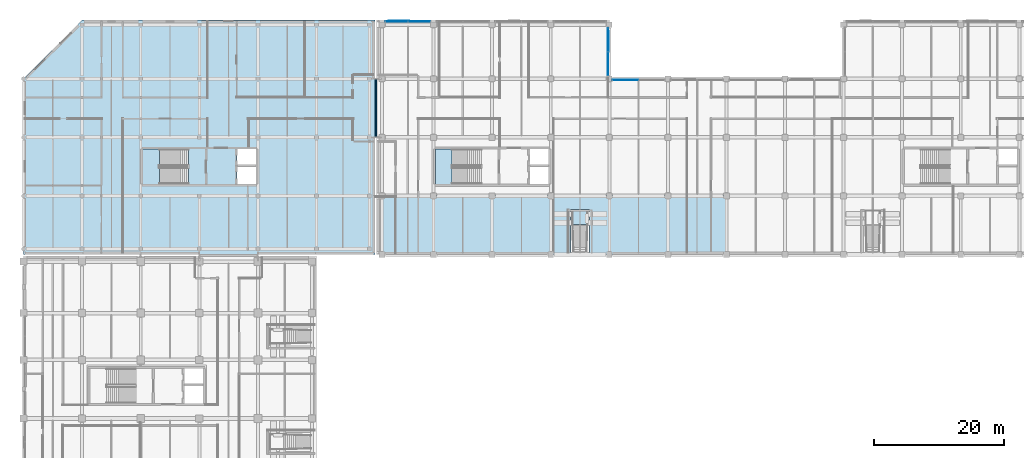
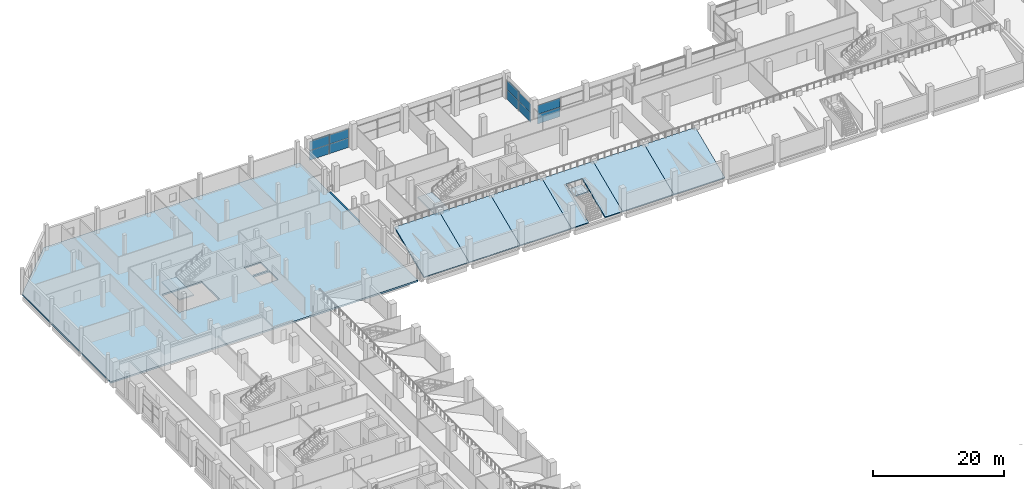
# One storey, part 48 of 100: 14 plates, 11 slabs, 5 elements without a shape of their own.
"""IFC4 building model written with IfcOpenShell, lengths in metres."""

from ifc_helpers import new_model, si_unit, direction, frame, origin, origin_2d, place, context, subcontext, project, spatial, polyline, rectangle, outline, extrude, material, layer, layer_set, type_object, element, aggregate, save


model = new_model("IFC4")

# Units and contexts
model_context = context("Model", 3, precision=1e-05, world=origin(), true_north=direction((0.0, 1.0)))
body_context = subcontext(model_context, "Body", "Model", "MODEL_VIEW")
ifc_project = project(units=[si_unit("LENGTHUNIT", "METRE"), si_unit("AREAUNIT", "SQUARE_METRE"), si_unit("VOLUMEUNIT", "CUBIC_METRE"), si_unit("PLANEANGLEUNIT", "RADIAN"), si_unit("MASSUNIT", "GRAM", prefix="KILO"), si_unit("THERMODYNAMICTEMPERATUREUNIT", "KELVIN"), si_unit("POWERUNIT", "WATT")], contexts=[model_context])

# Site, building, storey
site_placement = place(None, origin())
site = spatial("IfcSite", under=ifc_project, at=site_placement, CompositionType="ELEMENT")
building_placement = place(site_placement, origin())
building = spatial("IfcBuilding", under=site, at=building_placement, Name="Sindhuravela Promenade Stadium", CompositionType="ELEMENT")
storey_placement = place(building_placement, frame((0.0, 0.0, 4.800048828125)))
storey = spatial("IfcBuildingStorey", under=building, at=storey_placement, Name="L01", CompositionType="ELEMENT", Elevation=4.800048828125)

# Plates
ifc_material_1 = material(Name="Perforated terracotta celosia brick (15 MPa)", Category="masonry")
ifc_layer_1 = layer(ifc_material_1, 0.114990234375)
ifc_layer_set_1 = layer_set([ifc_layer_1], Name="Perforated terracotta celosia brick (15 MPa)")
plate_type_1 = type_object("IfcPlateType", Name="CL-SCR-02", PredefinedType="USERDEFINED", material=ifc_layer_set_1)
for number, where, z_axis, x_axis, name in (
    (1, (56.905029296875, 161.8798828125, 0.0), (0.0, 0.0, 1.0), (1.0, 0.0, 0.0), "Perforated brick celosia screen NORTH L01-137"),
    (2, (89.8798828125, 159.4951171875, 0.0), (0.0, 0.0, 1.0), (0.0, -1.0, 0.0), "Perforated brick celosia screen NORTH L01-141"),
):
    element("IfcPlate", number, at=place(storey_placement, frame(where, z_axis=z_axis, x_axis=x_axis)), inside=storey, type_object=plate_type_1, Name=name, ObjectType="SCREEN PANEL", PredefinedType="USERDEFINED", context=body_context, shape_type="SweptSolid", body=[
        extrude(rectangle(XDim=1.56005859375, YDim=0.114990234375, at=origin_2d()), origin(), (0.0, 0.0, 1.0), 3.580078125),
    ])
ifc_layer_2 = layer(ifc_material_1, 0.139892578125)
ifc_layer_set_2 = layer_set([ifc_layer_2], Name="Perforated terracotta celosia brick (15 MPa)")
plate_type_2 = type_object("IfcPlateType", Name="CL-SCR-03", PredefinedType="USERDEFINED", material=ifc_layer_set_2)
for number, where, z_axis, x_axis, name in (
    (3, (58.5048828125, 161.8798828125, 0.0), (0.0, 0.0, 1.0), (1.0, 0.0, 0.0), "Perforated brick celosia screen NORTH L01-138"),
    (4, (89.8798828125, 157.89501953125, 0.0), (0.0, 0.0, 1.0), (0.0, -1.0, 0.0), "Perforated brick celosia screen NORTH L01-142"),
):
    element("IfcPlate", number, at=place(storey_placement, frame(where, z_axis=z_axis, x_axis=x_axis)), inside=storey, type_object=plate_type_2, Name=name, ObjectType="SCREEN PANEL", PredefinedType="USERDEFINED", context=body_context, shape_type="SweptSolid", body=[
        extrude(rectangle(XDim=1.56005859375, YDim=0.139892578125, at=origin_2d()), origin(), (0.0, 0.0, 1.0), 3.580078125),
    ])

# Curtain wall, plates
ifc_material_2 = material(Name="Anodised architectural aluminium 6063-T6", Category="aluminium")
curtain_wall_type_1 = type_object("IfcCurtainWallType", Name="CW-MOD-3", PredefinedType="NOTDEFINED", material=ifc_material_2)
curtain_wall_1_placement = place(storey_placement, origin())
curtain_wall_1 = element("IfcCurtainWall", 5, at=curtain_wall_1_placement, inside=storey, type_object=curtain_wall_type_1, Name="Bronze curtain wall CW-NORTH-L01-138", PredefinedType="NOTDEFINED")
ifc_material_3 = material(Name="Tempered laminated low-E glass", Category="glass")
ifc_layer_3 = layer(ifc_material_3, 0.028076171875)
ifc_layer_set_3 = layer_set([ifc_layer_3], Name="Tempered laminated low-E glass")
plate_type_3 = type_object("IfcPlateType", Name="CW-PNL-01", PredefinedType="CURTAIN_PANEL", material=ifc_layer_set_3)
plate_1_placement = place(storey_placement, frame((57.324951171875, 161.800048828125, 0.01513671875), z_axis=(0.0, 0.0, 1.0), x_axis=(1.0, 0.0, 0.0)))
plate_1 = element("IfcPlate", 6, at=plate_1_placement, type_object=plate_type_3, Name="Glazed curtain panel CW-NORTH-L01-138-P1.1", PredefinedType="CURTAIN_PANEL", context=body_context, shape_type="SweptSolid", body=[
    extrude(rectangle(XDim=3.389892578125, YDim=0.028076171875, at=origin_2d()), origin(), (0.0, 0.0, 1.0), 1.760009765625),
])
plate_2_placement = place(storey_placement, frame((57.324951171875, 161.800048828125, 1.80517578125), z_axis=(0.0, 0.0, 1.0), x_axis=(1.0, 0.0, 0.0)))
plate_2 = element("IfcPlate", 7, at=plate_2_placement, type_object=plate_type_3, Name="Glazed curtain panel CW-NORTH-L01-138-P1.2", PredefinedType="CURTAIN_PANEL", context=body_context, shape_type="SweptSolid", body=[
    extrude(rectangle(XDim=3.389892578125, YDim=0.028076171875, at=origin_2d()), origin(), (0.0, 0.0, 1.0), 1.679931640625),
])
plate_3_placement = place(storey_placement, frame((60.77490234375, 161.800048828125, 0.01513671875), z_axis=(0.0, 0.0, 1.0), x_axis=(1.0, 0.0, 0.0)))
plate_3 = element("IfcPlate", 8, at=plate_3_placement, type_object=plate_type_3, Name="Glazed curtain panel CW-NORTH-L01-138-P2.1", PredefinedType="CURTAIN_PANEL", context=body_context, shape_type="SweptSolid", body=[
    extrude(rectangle(XDim=3.389892578125, YDim=0.028076171875, at=origin_2d()), origin(), (0.0, 0.0, 1.0), 1.760009765625),
])
plate_4_placement = place(storey_placement, frame((60.77490234375, 161.800048828125, 1.80517578125), z_axis=(0.0, 0.0, 1.0), x_axis=(1.0, 0.0, 0.0)))
plate_4 = element("IfcPlate", 9, at=plate_4_placement, type_object=plate_type_3, Name="Glazed curtain panel CW-NORTH-L01-138-P2.2", PredefinedType="CURTAIN_PANEL", context=body_context, shape_type="SweptSolid", body=[
    extrude(rectangle(XDim=3.389892578125, YDim=0.028076171875, at=origin_2d()), origin(), (0.0, 0.0, 1.0), 1.679931640625),
])
aggregate(curtain_wall_1, [plate_1, plate_2, plate_3, plate_4])

curtain_wall_type_2 = type_object("IfcCurtainWallType", Name="CW-MOD-7", PredefinedType="NOTDEFINED", material=ifc_material_2)
curtain_wall_2_placement = place(storey_placement, origin())
curtain_wall_2 = element("IfcCurtainWall", 10, at=curtain_wall_2_placement, inside=storey, type_object=curtain_wall_type_2, Name="Bronze curtain wall CW-NORTH-L01-142", PredefinedType="NOTDEFINED")
plate_5_placement = place(storey_placement, frame((89.800048828125, 158.97509765625, 0.01513671875), z_axis=(0.0, 0.0, 1.0), x_axis=(0.0, -1.0, 0.0)))
plate_5 = element("IfcPlate", 11, at=plate_5_placement, type_object=plate_type_3, Name="Glazed curtain panel CW-NORTH-L01-142-P1.1", PredefinedType="CURTAIN_PANEL", context=body_context, shape_type="SweptSolid", body=[
    extrude(rectangle(XDim=3.590087890625, YDim=0.028076171875, at=origin_2d()), origin(), (0.0, 0.0, 1.0), 1.760009765625),
])
plate_6_placement = place(storey_placement, frame((89.800048828125, 158.97509765625, 1.80517578125), z_axis=(0.0, 0.0, 1.0), x_axis=(0.0, -1.0, 0.0)))
plate_6 = element("IfcPlate", 12, at=plate_6_placement, type_object=plate_type_3, Name="Glazed curtain panel CW-NORTH-L01-142-P1.2", PredefinedType="CURTAIN_PANEL", context=body_context, shape_type="SweptSolid", body=[
    extrude(rectangle(XDim=3.590087890625, YDim=0.028076171875, at=origin_2d()), origin(), (0.0, 0.0, 1.0), 1.679931640625),
])
plate_7_placement = place(storey_placement, frame((89.800048828125, 155.324951171875, 0.01513671875), z_axis=(0.0, 0.0, 1.0), x_axis=(0.0, -1.0, 0.0)))
plate_7 = element("IfcPlate", 13, at=plate_7_placement, type_object=plate_type_3, Name="Glazed curtain panel CW-NORTH-L01-142-P2.1", PredefinedType="CURTAIN_PANEL", context=body_context, shape_type="SweptSolid", body=[
    extrude(rectangle(XDim=3.590087890625, YDim=0.028076171875, at=origin_2d()), origin(), (0.0, 0.0, 1.0), 1.760009765625),
])
plate_8_placement = place(storey_placement, frame((89.800048828125, 155.324951171875, 1.80517578125), z_axis=(0.0, 0.0, 1.0), x_axis=(0.0, -1.0, 0.0)))
plate_8 = element("IfcPlate", 14, at=plate_8_placement, type_object=plate_type_3, Name="Glazed curtain panel CW-NORTH-L01-142-P2.2", PredefinedType="CURTAIN_PANEL", context=body_context, shape_type="SweptSolid", body=[
    extrude(rectangle(XDim=3.590087890625, YDim=0.028076171875, at=origin_2d()), origin(), (0.0, 0.0, 1.0), 1.679931640625),
])
aggregate(curtain_wall_2, [plate_5, plate_6, plate_7, plate_8])

curtain_wall_type_3 = type_object("IfcCurtainWallType", Name="CW-MOD-8", PredefinedType="NOTDEFINED", material=ifc_material_2)
curtain_wall_3_placement = place(storey_placement, origin())
curtain_wall_3 = element("IfcCurtainWall", 15, at=curtain_wall_3_placement, inside=storey, type_object=curtain_wall_type_3, Name="Bronze curtain wall CW-NORTH-L01-143", PredefinedType="NOTDEFINED")
ifc_layer_4 = layer(ifc_material_3, 0.0400390625)
ifc_layer_set_4 = layer_set([ifc_layer_4], Name="Tempered laminated low-E glass")
plate_type_4 = type_object("IfcPlateType", Name="CW-PNL-02", PredefinedType="CURTAIN_PANEL", material=ifc_layer_set_4)
plate_9_placement = place(storey_placement, frame((92.5, 152.800048828125, 0.01513671875), z_axis=(0.0, 0.0, 1.0), x_axis=(1.0, 0.0, 0.0)))
plate_9 = element("IfcPlate", 16, at=plate_9_placement, type_object=plate_type_4, Name="Glazed curtain panel CW-NORTH-L01-143-P1.1", PredefinedType="CURTAIN_PANEL", context=body_context, shape_type="SweptSolid", body=[
    extrude(rectangle(XDim=3.93994140625, YDim=0.0400390625, at=origin_2d()), origin(), (0.0, 0.0, 1.0), 1.760009765625),
])
plate_10_placement = place(storey_placement, frame((92.5, 152.800048828125, 1.80517578125), z_axis=(0.0, 0.0, 1.0), x_axis=(1.0, 0.0, 0.0)))
plate_10 = element("IfcPlate", 17, at=plate_10_placement, type_object=plate_type_4, Name="Glazed curtain panel CW-NORTH-L01-143-P1.2", PredefinedType="CURTAIN_PANEL", context=body_context, shape_type="SweptSolid", body=[
    extrude(rectangle(XDim=3.93994140625, YDim=0.0400390625, at=origin_2d()), origin(), (0.0, 0.0, 1.0), 1.679931640625),
])
aggregate(curtain_wall_3, [plate_9, plate_10])

# Slabs
ifc_material_4 = material(Name="Concrete M50", Category="concrete")
ifc_layer_5 = layer(ifc_material_4, 0.360107421875)
ifc_layer_set_5 = layer_set([ifc_layer_5], Name="Concrete M50")
slab_type_1 = type_object("IfcSlabType", Name="SL-BRG-360", PredefinedType="FLOOR", material=ifc_layer_set_5)
slab_1_placement = place(storey_placement, frame((0.0, 0.0, -0.360107421875)))
element("IfcSlab", 18, at=slab_1_placement, inside=storey, type_object=slab_type_1, Name="Concourse link bridge L01 North-NW", PredefinedType="FLOOR", context=body_context, shape_type="SweptSolid", body=[
    extrude(outline(polyline([(54.0, 144.0), (54.25, 144.0), (54.25, 153.0), (54.0, 153.0), (54.0, 144.0)])), origin(), (0.0, 0.0, 1.0), 0.360107421875),
])
ifc_material_5 = material(Name="Concrete M40", Category="concrete")
ifc_layer_6 = layer(ifc_material_5, 0.25)
ifc_layer_set_6 = layer_set([ifc_layer_6], Name="Concrete M40")
slab_type_2 = type_object("IfcSlabType", Name="SL-FLR-250", PredefinedType="FLOOR", material=ifc_layer_set_6)
slab_2_placement = place(storey_placement, frame((0.0, 0.0, 2.0)))
element("IfcSlab", 19, at=slab_2_placement, inside=storey, type_object=slab_type_2, Name="Vomitory VS09 tier landing slab", PredefinedType="FLOOR", context=body_context, shape_type="SweptSolid", body=[
    extrude(outline(polyline([(86.7099609375, 130.639404296875), (86.7099609375, 132.7900390625), (84.2900390625, 132.7900390625), (84.2900390625, 130.639404296875), (86.7099609375, 130.639404296875)])), origin(), (0.0, 0.0, 1.0), 0.25),
])
ifc_layer_7 = layer(ifc_material_5, 0.300048828125)
ifc_layer_set_7 = layer_set([ifc_layer_7], Name="Concrete M40")
slab_type_3 = type_object("IfcSlabType", Name="SL-FLR-300", PredefinedType="FLOOR", material=ifc_layer_set_7)
slab_3_placement = place(storey_placement, frame((0.0, 0.0, -0.300048828125)))
element("IfcSlab", 20, at=slab_3_placement, inside=storey, type_object=slab_type_3, Name="Floor slab Pavilion NW L01", PredefinedType="FLOOR", context=body_context, shape_type="SweptSolid", body=[
    extrude(outline(polyline([(0.0, 126.0), (54.0, 126.0), (54.0, 162.0), (9.0, 162.0), (0.0, 153.0), (0.0, 126.0)]), holes=[polyline([(18.300048828125, 136.800048828125), (25.34912109375, 136.800048828125), (25.34912109375, 142.199951171875), (18.300048828125, 142.199951171875), (18.300048828125, 136.800048828125)]), polyline([(32.800048828125, 139.800048828125), (35.699951171875, 139.800048828125), (35.699951171875, 142.199951171875), (32.800048828125, 142.199951171875), (32.800048828125, 139.800048828125)]), polyline([(32.800048828125, 136.800048828125), (35.699951171875, 136.800048828125), (35.699951171875, 139.5), (32.800048828125, 139.5), (32.800048828125, 136.800048828125)])]), origin(), (0.0, 0.0, 1.0), 0.300048828125),
])

# Stair, slab
stair_type = type_object("IfcStairType", Name="ST-CORE-DOGLEG", PredefinedType="HALF_TURN_STAIR", material=ifc_material_5)
stair_1_placement = place(storey_placement, origin())
stair_1 = element("IfcStair", 21, at=stair_1_placement, inside=storey, type_object=stair_type, Name="Protected escape stair ST09 (L01)", PredefinedType="HALF_TURN_STAIR")
ifc_layer_8 = layer(ifc_material_5, 0.219970703125)
ifc_layer_set_8 = layer_set([ifc_layer_8], Name="Concrete M40")
slab_type_4 = type_object("IfcSlabType", Name="SL-LND-220", PredefinedType="LANDING", material=ifc_layer_set_8)
slab_4_placement = place(storey_placement, frame((0.0, 0.0, 2.179931640625)))
slab_4 = element("IfcSlab", 22, at=slab_4_placement, type_object=slab_type_4, Name="Stair ST09 half-landing (L01)", PredefinedType="LANDING", context=body_context, shape_type="SweptSolid", body=[
    extrude(outline(polyline([(63.280029296875, 136.780029296875), (65.85205078125, 136.780029296875), (65.85205078125, 142.219970703125), (63.280029296875, 142.219970703125), (63.280029296875, 136.780029296875)])), origin(), (0.0, 0.0, 1.0), 0.219970703125),
])
aggregate(stair_1, [slab_4])

stair_2_placement = place(storey_placement, origin())
stair_2 = element("IfcStair", 23, at=stair_2_placement, inside=storey, type_object=stair_type, Name="Protected escape stair GS03 (L01)", PredefinedType="HALF_TURN_STAIR")
slab_5_placement = place(storey_placement, frame((0.0, 0.0, 2.179931640625)))
slab_5 = element("IfcSlab", 24, at=slab_5_placement, type_object=slab_type_4, Name="Stair GS03 half-landing (L01)", PredefinedType="LANDING", context=body_context, shape_type="SweptSolid", body=[
    extrude(outline(polyline([(18.280029296875, 136.780029296875), (20.85205078125, 136.780029296875), (20.85205078125, 142.219970703125), (18.280029296875, 142.219970703125), (18.280029296875, 136.780029296875)])), origin(), (0.0, 0.0, 1.0), 0.219970703125),
])
aggregate(stair_2, [slab_5])

# Slabs
ifc_material_6 = material(Name="Precast concrete M50", Category="concrete")
ifc_layer_9 = layer(ifc_material_6, 0.2900390625)
ifc_layer_set_9 = layer_set([ifc_layer_9], Name="Precast concrete M50")
slab_type_5 = type_object("IfcSlabType", Name="SL-TR1-290", PredefinedType="USERDEFINED", material=ifc_layer_set_9)
slab_6_placement = place(storey_placement, frame((55.10009765625, 126.0, 0.199951171875), z_axis=(0.0, -0.39331118097782747, 0.9194054137962353), x_axis=(1.0, 0.0, 0.0)))
element("IfcSlab", 25, at=slab_6_placement, inside=storey, type_object=slab_type_5, Name="Stand lower tier North rear bay 23", ObjectType="SEATING TIER", PredefinedType="USERDEFINED", context=body_context, shape_type="SweptSolid", body=[
    extrude(outline(polyline([(0.0, 0.0), (7.89990234375, 0.0), (7.89990234375, 9.78893518022577), (0.0, 9.78893518022577), (0.0, 0.0)])), origin(), (0.0, 0.0, -1.0), 0.2900390625),
])
for number, where, z_axis, x_axis, name in (
    (26, (63.0, 126.0, 0.199951171875), (0.0, -0.3933111809778274, 0.9194054137962352), (1.0, 0.0, 0.0), "Stand lower tier North rear bay 24"),
    (27, (72.0, 126.0, 0.199951171875), (0.0, -0.3933111809778274, 0.9194054137962352), (1.0, 0.0, 0.0), "Stand lower tier North rear bay 25"),
):
    element("IfcSlab", number, at=place(storey_placement, frame(where, z_axis=z_axis, x_axis=x_axis)), inside=storey, type_object=slab_type_5, Name=name, ObjectType="SEATING TIER", PredefinedType="USERDEFINED", context=body_context, shape_type="SweptSolid", body=[
        extrude(outline(polyline([(0.0, 0.0), (9.0, 0.0), (9.0, 9.788935180225769), (0.0, 9.788935180225769), (0.0, 0.0)])), origin(), (0.0, 0.0, -1.0), 0.2900390625),
    ])
slab_7_placement = place(storey_placement, frame((81.0, 126.0, 0.199951171875), z_axis=(0.0, -0.3933099048854284, 0.919405959693005), x_axis=(1.0, 0.0, 0.0)))
element("IfcSlab", 28, at=slab_7_placement, inside=storey, type_object=slab_type_5, Name="Stand lower tier North rear bay 26", ObjectType="SEATING TIER", PredefinedType="USERDEFINED", context=body_context, shape_type="SweptSolid", body=[
    extrude(outline(polyline([(0.0, 0.0), (3.050048828125, 0.0), (3.050048828125, 7.559193719793829), (5.949951171875, 7.559193719793829), (5.949951171875, 0.0), (9.0, 0.0), (9.0, 9.788935180216342), (0.0, 9.788935180216342), (0.0, 0.0)])), origin(), (0.0, 0.0, -1.0), 0.2900390625),
])
for number, where, z_axis, x_axis, name in (
    (29, (90.0, 126.0, 0.199951171875), (0.0, -0.3933111809778274, 0.9194054137962352), (1.0, 0.0, 0.0), "Stand lower tier North rear bay 27"),
    (30, (99.0, 126.0, 0.199951171875), (0.0, -0.3933111809778274, 0.9194054137962352), (1.0, 0.0, 0.0), "Stand lower tier North rear bay 28"),
):
    element("IfcSlab", number, at=place(storey_placement, frame(where, z_axis=z_axis, x_axis=x_axis)), inside=storey, type_object=slab_type_5, Name=name, ObjectType="SEATING TIER", PredefinedType="USERDEFINED", context=body_context, shape_type="SweptSolid", body=[
        extrude(outline(polyline([(0.0, 0.0), (9.0, 0.0), (9.0, 9.788935180225769), (0.0, 9.788935180225769), (0.0, 0.0)])), origin(), (0.0, 0.0, -1.0), 0.2900390625),
    ])

save(model, "model.ifc")
